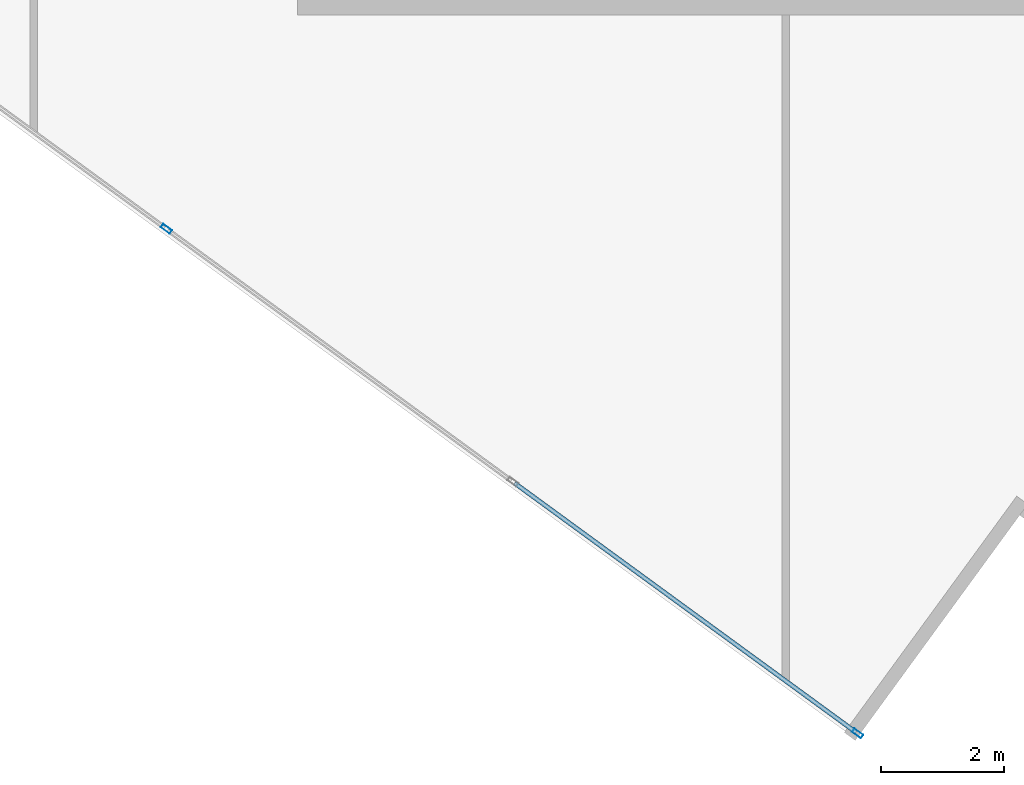
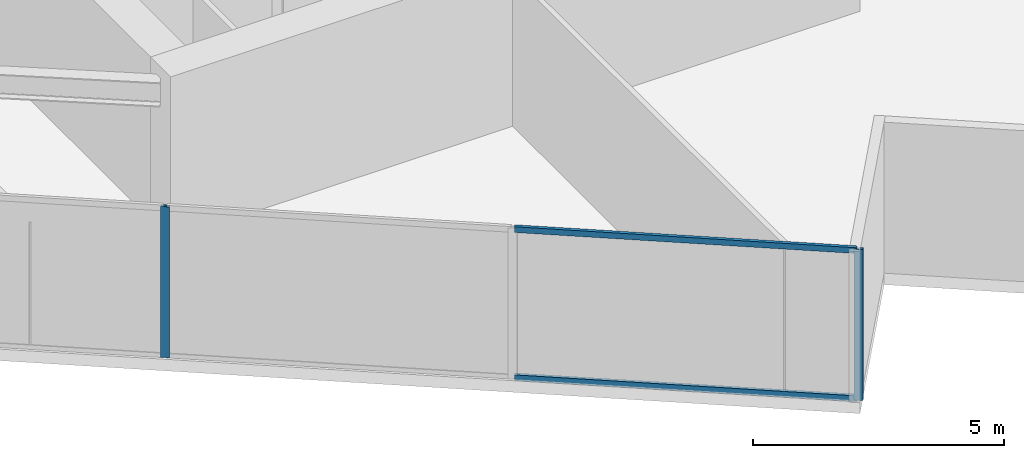
# One storey, part 3 of 25: 4 members, 1 element without a shape of its own.
"""IFC4 building model written with IfcOpenShell, lengths in metres."""

from ifc_helpers import new_model, si_unit, direction, frame, origin, origin_2d, place, context, subcontext, project, spatial, hollow_rectangle, extrude, source, transform, mapped, material, material_profile, profile_set, type_object, type_shapes, element, aggregate, save


model = new_model("IFC4")

# Units and contexts
model_context = context("Model", 3, precision=1e-05, world=origin(), true_north=direction((0.0, 1.0)))
body_context = subcontext(model_context, "Body", "Model", "MODEL_VIEW")
ifc_project = project(units=[si_unit("LENGTHUNIT", "METRE"), si_unit("AREAUNIT", "SQUARE_METRE"), si_unit("VOLUMEUNIT", "CUBIC_METRE"), si_unit("PLANEANGLEUNIT", "RADIAN"), si_unit("MASSUNIT", "GRAM", prefix="KILO")], contexts=[model_context])

# Site, building, storey
site_placement = place(None, origin())
site = spatial("IfcSite", under=ifc_project, at=site_placement, CompositionType="ELEMENT")
building_placement = place(site_placement, origin())
building = spatial("IfcBuilding", under=site, at=building_placement, Name="Krantzveldt Concourse Tower", CompositionType="ELEMENT")
storey_placement = place(building_placement, frame((0.0, 0.0, 193.60009765625)))
storey = spatial("IfcBuildingStorey", under=building, at=storey_placement, Name="L47", CompositionType="ELEMENT", Elevation=193.60009765625)

# Curtain wall, members
ifc_material = material(Name="Anodised aluminium 6063-T6", Category="aluminium")
curtain_wall_type = type_object("IfcCurtainWallType", Name="CW3", PredefinedType="USERDEFINED", material=ifc_material)
curtain_wall_placement = place(storey_placement, origin())
curtain_wall = element("IfcCurtainWall", 1, at=curtain_wall_placement, inside=storey, type_object=curtain_wall_type, Name="CW-L47-F04", ObjectType="UNITISED CURTAIN WALL", PredefinedType="USERDEFINED")
ifc_material_profile_1 = material_profile(ifc_material, hollow_rectangle(XDim=0.070068359375, YDim=0.179931640625, WallThickness=0.0048828125, at=origin_2d()), Name="Anodised aluminium 6063-T6", Category="aluminium")
ifc_profile_set_1 = profile_set([ifc_material_profile_1], Name="Anodised aluminium 6063-T6 - ALU-MULL 180x70x5")
member_type_1 = type_object("IfcMemberType", Name="CW-MUL-180", PredefinedType="MULLION", material=ifc_profile_set_1)
shared_shape_1 = source(origin(), body_context, "Body", "SweptSolid", [
    extrude(hollow_rectangle(XDim=0.070068359375, YDim=0.179931640625, WallThickness=0.0048828125, at=origin_2d()), origin(), (0.0, 0.0, 1.0), 3.669921875),
])
type_shapes(member_type_1, [shared_shape_1])
member_1_placement = place(storey_placement, frame((25.952880859375, 7.03173828125, 0.0), z_axis=(0.0, 0.0, 1.0), x_axis=(0.589548833895, 0.807732735781, 0.0)))
member_1 = element("IfcMember", 2, at=member_1_placement, type_object=member_type_1, Name="CW-Z34 mullion 4", PredefinedType="MULLION", context=body_context, shape_type="MappedRepresentation", body=[
    mapped(shared_shape_1, transform((0.0, 0.0, 0.0), x_axis=(1.0, 0.0, 0.0), y_axis=(0.0, 1.0, 0.0), z_axis=(0.0, 0.0, 1.0), scale=1.0)),
])
member_2_placement = place(storey_placement, frame((37.168212890625, -1.154052734375, 0.0), z_axis=(0.0, 0.0, 1.0), x_axis=(0.589548833895, 0.807732735781, 0.0)))
member_2 = element("IfcMember", 3, at=member_2_placement, type_object=member_type_1, Name="CW-Z34 mullion 6", PredefinedType="MULLION", context=body_context, shape_type="MappedRepresentation", body=[
    mapped(shared_shape_1, transform((0.0, 0.0, 0.0), x_axis=(1.0, 0.0, 0.0), y_axis=(0.0, 1.0, 0.0), z_axis=(0.0, 0.0, 1.0), scale=1.0)),
])
ifc_material_profile_2 = material_profile(ifc_material, hollow_rectangle(XDim=0.070068359375, YDim=0.139892578125, WallThickness=0.0048828125, at=origin_2d()), Name="Anodised aluminium 6063-T6", Category="aluminium")
ifc_profile_set_2 = profile_set([ifc_material_profile_2], Name="Anodised aluminium 6063-T6 - ALU-TRAN 140x70x5")
member_type_2 = type_object("IfcMemberType", Name="CW-TRN-150", PredefinedType="USERDEFINED", material=ifc_profile_set_2)
shared_shape_2 = source(origin(), body_context, "Body", "SweptSolid", [
    extrude(hollow_rectangle(XDim=0.070068359375, YDim=0.139892578125, WallThickness=0.0048828125, at=origin_2d()), origin(), (0.0, 0.0, 1.0), 6.854736328125),
])
type_shapes(member_type_2, [shared_shape_2])
member_3_placement = place(storey_placement, frame((31.60302734375, 2.90771484375, 0.034912109375), z_axis=(0.807732274439, -0.589549465973, 0.0), x_axis=(0.589549465973, 0.807732274439, 0.0)))
member_3 = element("IfcMember", 4, at=member_3_placement, type_object=member_type_2, Name="CW-Z34 transom 5.1", ObjectType="TRANSOM", PredefinedType="USERDEFINED", context=body_context, shape_type="MappedRepresentation", body=[
    mapped(shared_shape_2, transform((0.0, 0.0, 0.0), x_axis=(1.0, 0.0, 0.0), y_axis=(0.0, 1.0, 0.0), z_axis=(0.0, 0.0, 1.0), scale=1.0)),
])
member_4_placement = place(storey_placement, frame((31.60302734375, 2.90771484375, 3.635009765625), z_axis=(0.807732274439, -0.589549465973, 0.0), x_axis=(0.589549465973, 0.807732274439, 0.0)))
member_4 = element("IfcMember", 5, at=member_4_placement, type_object=member_type_2, Name="CW-Z34 transom 5.2", ObjectType="TRANSOM", PredefinedType="USERDEFINED", context=body_context, shape_type="MappedRepresentation", body=[
    mapped(shared_shape_2, transform((0.0, 0.0, 0.0), x_axis=(1.0, 0.0, 0.0), y_axis=(0.0, 1.0, 0.0), z_axis=(0.0, 0.0, 1.0), scale=1.0)),
])
aggregate(curtain_wall, [member_1, member_2, member_3, member_4])

save(model, "model.ifc")
